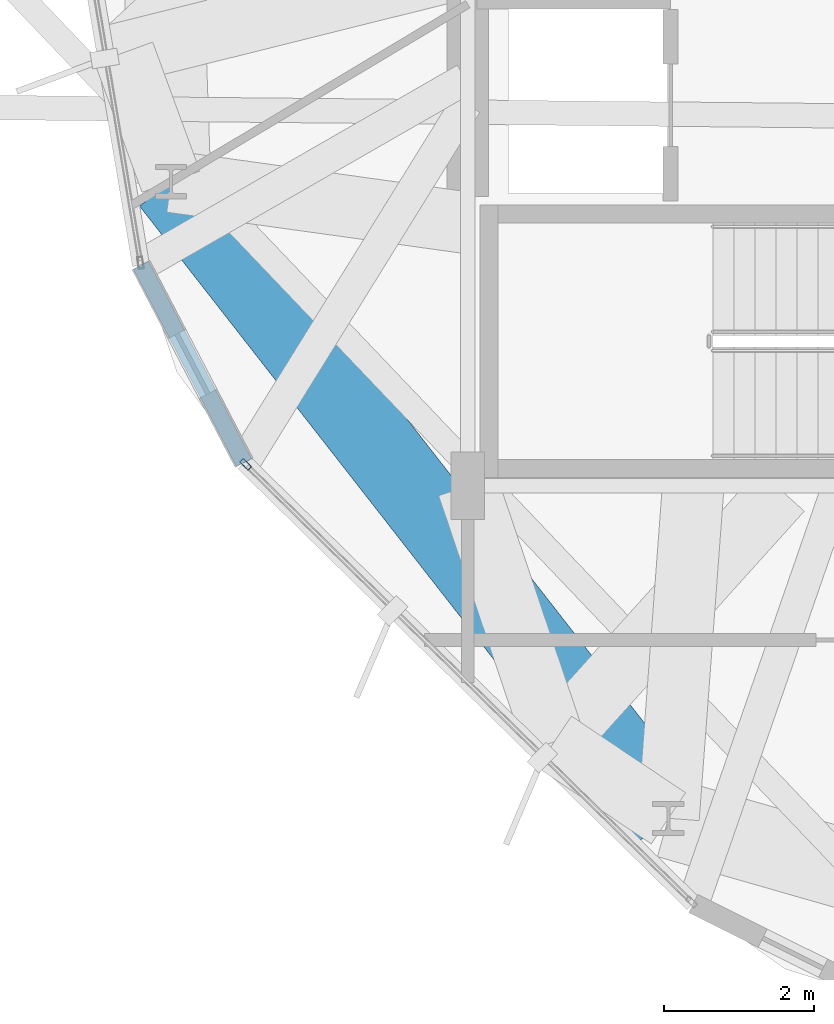
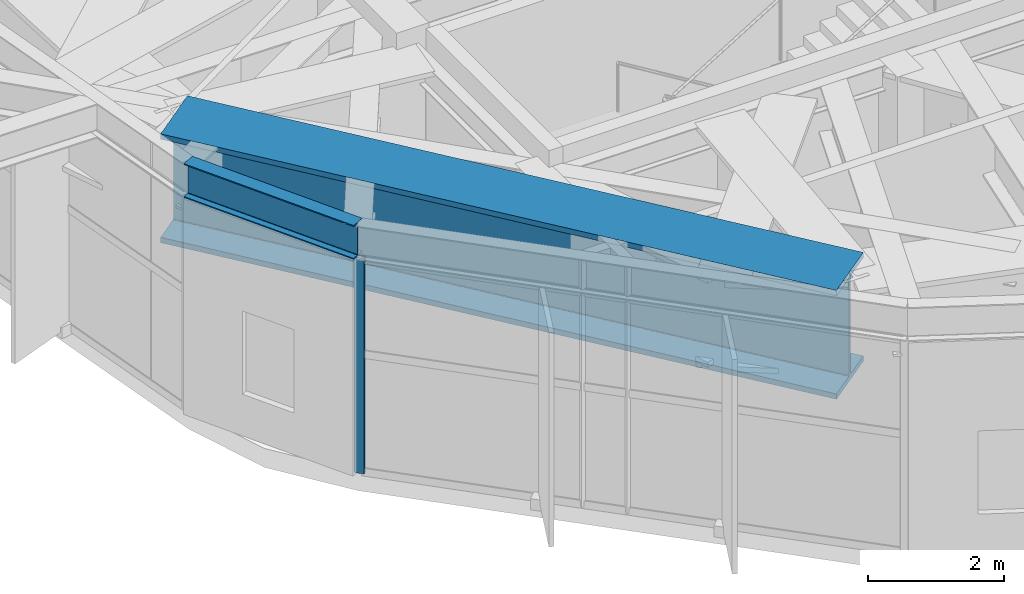
# One storey, part 3 of 27: 2 beams, 1 member, 1 element without a shape of its own.
"""IFC4 building model written with IfcOpenShell, lengths in metres."""

import ifcopenshell
import ifcopenshell.guid

model = None  # the IFC model being written
_history = None  # IfcOwnerHistory: only IFC2X3 demands one
_inside = {}  # id of a spatial element -> (the spatial element, [elements in it])
_under = {}  # id of a project, library or spatial element -> (it, [spatial elements below it])
_declared = {}  # id of a project -> (the project, [libraries it declares])
_typed = {}  # id of a type object -> (the type object, [elements of that type])
_made_of = {}  # id of a material, layer set ... -> (it, [elements and type objects made of it])


def new_model(schema):
    """Start an empty IFC model of exactly this schema.

    Asked for "IFC4X3", IfcOpenShell would pick the latest addendum, in which some entities
    have other attributes; the version numbers below select the first issue.
    IFC2X3 requires an IfcOwnerHistory on every rooted entity: one is made here for all.
    """
    global model, _history
    if schema == "IFC4X3":
        model = ifcopenshell.file(schema_version=(4, 3, 0, 0))
    else:
        model = ifcopenshell.file(schema=schema)
    _inside.clear()
    _under.clear()
    _declared.clear()
    _typed.clear()
    _made_of.clear()
    _history = None
    if model.schema == "IFC2X3":
        org = make("IfcOrganization", Name="unknown")
        user = make(
            "IfcPersonAndOrganization",
            ThePerson=make("IfcPerson", FamilyName="unknown"),
            TheOrganization=org,
        )
        app = make(
            "IfcApplication",
            ApplicationDeveloper=org,
            Version="unknown",
            ApplicationFullName="unknown",
            ApplicationIdentifier="unknown",
        )
        _history = make(
            "IfcOwnerHistory",
            OwningUser=user,
            OwningApplication=app,
            ChangeAction="ADDED",
            CreationDate=0,
        )
    return model


def make(cls, **values):
    """One entity of the class cls with the attributes given. An attribute that is None is left unset."""
    return model.create_entity(
        cls, **{name: value for name, value in values.items() if value is not None}
    )


def rooted(cls, **values):
    """An entity with a GlobalId (a new one), such as an element, a storey or a relation."""
    return make(cls, GlobalId=ifcopenshell.guid.new(), OwnerHistory=_history, **values)


def si_unit(unit_type, name, prefix=None):
    """IfcSIUnit, for example si_unit("LENGTHUNIT", "METRE", prefix="MILLI")."""
    return make("IfcSIUnit", UnitType=unit_type, Prefix=prefix, Name=name)


def assignment(units):
    """IfcUnitAssignment: the units of a project."""
    return None if units is None else make("IfcUnitAssignment", Units=units)


def point(xyz):
    """IfcCartesianPoint."""
    return None if xyz is None else make("IfcCartesianPoint", Coordinates=xyz)


def direction(xyz):
    """IfcDirection."""
    return None if xyz is None else make("IfcDirection", DirectionRatios=xyz)


def frame(location, z_axis=None, x_axis=None):
    """IfcAxis2Placement3D, a coordinate frame: its origin and axes. An axis left out is left unset."""
    return make(
        "IfcAxis2Placement3D",
        Location=point(location),
        Axis=direction(z_axis),
        RefDirection=direction(x_axis),
    )


def frame_2d(location, x_axis=None):
    """IfcAxis2Placement2D, a coordinate frame in the plane: its origin and x axis."""
    return make(
        "IfcAxis2Placement2D", Location=point(location), RefDirection=direction(x_axis)
    )


def origin():
    """The frame at (0, 0, 0) with its axes left unset."""
    return frame((0.0, 0.0, 0.0))


def origin_2d():
    """The frame at (0, 0) in the plane with its x axis left unset."""
    return frame_2d((0.0, 0.0))


def place(relative_to, where):
    """IfcLocalPlacement: puts the frame where relative to a parent placement (None: the world)."""
    return make(
        "IfcLocalPlacement", PlacementRelTo=relative_to, RelativePlacement=where
    )


def context(
    kind, dimensions, precision=None, world=None, true_north=None, identifier=None
):
    """IfcGeometricRepresentationContext, for example the 3D "Model" context."""
    return make(
        "IfcGeometricRepresentationContext",
        ContextIdentifier=identifier,
        ContextType=kind,
        CoordinateSpaceDimension=dimensions,
        Precision=precision,
        WorldCoordinateSystem=world,
        TrueNorth=true_north,
    )


def subcontext(parent, identifier, kind, view, scale=None):
    """IfcGeometricRepresentationSubContext, for example "Body" below "Model"."""
    return make(
        "IfcGeometricRepresentationSubContext",
        ContextIdentifier=identifier,
        ContextType=kind,
        ParentContext=parent,
        TargetScale=scale,
        TargetView=view,
    )


def project(units=None, contexts=None):
    """IfcProject with its units and contexts."""
    return rooted(
        "IfcProject",
        Name="project",
        RepresentationContexts=contexts,
        UnitsInContext=assignment(units),
    )


def spatial(cls, under=None, at=None, **own):
    """A site, building, storey or space (cls), placed at a placement, below another one or the project."""
    s = rooted(cls, ObjectPlacement=at, **own)
    if under is not None:
        _under.setdefault(under.id(), (under, []))[1].append(s)
    return s


def profile(cls, at=None, kind="AREA", **sizes):
    """A parametric profile (cls). Its sizes go by their IFC names, for example OverallWidth=200.0."""
    return make(cls, ProfileType=kind, Position=at, **sizes)


def hollow_rectangle(**sizes):
    """IfcRectangleHollowProfileDef."""
    return profile("IfcRectangleHollowProfileDef", **sizes)


def i_section(**sizes):
    """IfcIShapeProfileDef."""
    return profile("IfcIShapeProfileDef", **sizes)


def extrude(swept, where, along, depth):
    """IfcExtrudedAreaSolid: the profile swept, set in the frame where, extruded along a direction by depth."""
    return make(
        "IfcExtrudedAreaSolid",
        SweptArea=swept,
        Position=where,
        ExtrudedDirection=direction(along),
        Depth=depth,
    )


def shape(context_of_items, identifier, shape_type, items):
    """IfcShapeRepresentation: the items that make up one representation, for example the "Body"."""
    return make(
        "IfcShapeRepresentation",
        ContextOfItems=context_of_items,
        RepresentationIdentifier=identifier,
        RepresentationType=shape_type,
        Items=items,
    )


def material(Name=None, Category=None):
    """IfcMaterial."""
    return make("IfcMaterial", Name=Name, Category=Category)


def layer(
    of_material, thickness, ventilated=None, Name=None, Category=None, Priority=None
):
    """IfcMaterialLayer: one layer of a wall or slab, of a material (None: an air gap)."""
    return make(
        "IfcMaterialLayer",
        Material=of_material,
        LayerThickness=thickness,
        IsVentilated=ventilated,
        Name=Name,
        Category=Category,
        Priority=Priority,
    )


def layer_set(layers, Name=None):
    """IfcMaterialLayerSet."""
    return make("IfcMaterialLayerSet", MaterialLayers=layers, LayerSetName=Name)


def material_profile(
    of_material, cross_section, Name=None, Category=None, Priority=None
):
    """IfcMaterialProfile: a cross section and its material."""
    return make(
        "IfcMaterialProfile",
        Name=Name,
        Material=of_material,
        Profile=cross_section,
        Priority=Priority,
        Category=Category,
    )


def profile_set(profiles, Name=None, composite=None):
    """IfcMaterialProfileSet."""
    return make(
        "IfcMaterialProfileSet",
        Name=Name,
        MaterialProfiles=profiles,
        CompositeProfile=composite,
    )


def made_of(thing, what):
    """Note that an element or type object is made of a material, layer set ...; save() writes the relation."""
    if what is not None:
        _made_of.setdefault(what.id(), (what, []))[1].append(thing)
    return thing


def type_object(cls, material=None, **own):
    """A type object (cls), such as IfcWallType, which elements share."""
    return made_of(rooted(cls, **own), material)


def element(
    cls,
    number,
    at=None,
    inside=None,
    cuts=None,
    type_object=None,
    material=None,
    context=None,
    identifier="Body",
    shape_type=None,
    held_by="IfcProductDefinitionShape",
    body=None,
    shapes=None,
    **own,
):
    """One element of the class cls, such as IfcWall. Its Tag is "e" and its number.

    at: its placement. inside: the storey or other place that contains it. cuts: it is an
    opening in that element (IfcRelVoidsElement). A single representation is given by context,
    identifier, shape_type and body (its items); several are given by shapes. held_by: the class
    of the entity that holds the representations. save() writes the other relations.
    """
    e = rooted(cls, Tag="e%d" % number, ObjectPlacement=at, **own)
    if body is not None:
        shapes = [shape(context, identifier, shape_type, body)]
    if shapes is not None:
        e.Representation = make(held_by, Representations=shapes)
    if inside is not None:
        _inside.setdefault(inside.id(), (inside, []))[1].append(e)
    if cuts is not None:
        rooted(
            "IfcRelVoidsElement", RelatingBuildingElement=cuts, RelatedOpeningElement=e
        )
    if type_object is not None:
        _typed.setdefault(type_object.id(), (type_object, []))[1].append(e)
    return made_of(e, material)


def aggregate(whole, parts):
    """IfcRelAggregates: a whole, such as a stair, and the parts it consists of."""
    return rooted("IfcRelAggregates", RelatingObject=whole, RelatedObjects=parts)


def save(model, path):
    """Write the relations noted so far, then the file.

    IfcRelAggregates (storeys below a building ...), IfcRelContainedInSpatialStructure (elements
    in a storey), IfcRelDefinesByType, IfcRelAssociatesMaterial and IfcRelDeclares: one each for
    every whole, place, type object, material and project.
    """
    for whole, parts in _under.values():
        aggregate(whole, parts)
    for where, things in _inside.values():
        rooted(
            "IfcRelContainedInSpatialStructure",
            RelatedElements=things,
            RelatingStructure=where,
        )
    for kind, things in _typed.values():
        rooted("IfcRelDefinesByType", RelatedObjects=things, RelatingType=kind)
    for what, things in _made_of.values():
        rooted("IfcRelAssociatesMaterial", RelatedObjects=things, RelatingMaterial=what)
    for by, libraries in _declared.values():
        rooted("IfcRelDeclares", RelatingContext=by, RelatedDefinitions=libraries)
    model.write(path)


model = new_model("IFC4")

# Units and contexts
model_context = context("Model", 3, precision=1e-05, world=origin(), true_north=direction((0.0, 1.0)))
body_context = subcontext(model_context, "Body", "Model", "MODEL_VIEW")
ifc_project = project(units=[si_unit("LENGTHUNIT", "METRE"), si_unit("AREAUNIT", "SQUARE_METRE"), si_unit("VOLUMEUNIT", "CUBIC_METRE"), si_unit("PLANEANGLEUNIT", "RADIAN"), si_unit("MASSUNIT", "GRAM", prefix="KILO")], contexts=[model_context])

# Site, building, storey
site_placement = place(None, origin())
site = spatial("IfcSite", under=ifc_project, at=site_placement, CompositionType="ELEMENT")
building_placement = place(site_placement, origin())
building = spatial("IfcBuilding", under=site, at=building_placement, Name="Soratama Intermodal Tower", CompositionType="ELEMENT")
storey_placement = place(building_placement, frame((0.0, 0.0, 134.199951171875)))
storey = spatial("IfcBuildingStorey", under=building, at=storey_placement, Name="L32", CompositionType="ELEMENT", Elevation=134.199951171875)

# Beams
ifc_material_1 = material(Name="Structural steel ASTM A992 Grade 50", Category="steel")
ifc_material_profile_1 = material_profile(ifc_material_1, i_section(OverallWidth=0.22900390625, OverallDepth=0.612060546875, WebThickness=0.011962890625, FlangeThickness=0.01953125, FilletRadius=0.012939453125, at=origin_2d()), Name="W24X84")
ifc_profile_set_1 = profile_set([ifc_material_profile_1], Name="Structural steel ASTM A992 Grade 50")
beam_type_1 = type_object("IfcBeamType", Name="BM-SPN-W24X84", PredefinedType="SPANDREL", material=ifc_profile_set_1)
beam_1_placement = place(storey_placement, frame((28.2490234375, 17.93798828125, 4.194091796875), z_axis=(0.462554755438, -0.886590716296, 0.0), x_axis=(0.886590716296, 0.462554755438, 0.0)))
element("IfcBeam", 1, at=beam_1_placement, inside=storey, type_object=beam_type_1, Name="BS-L32-CRN05", PredefinedType="SPANDREL", context=body_context, shape_type="SweptSolid", body=[
    extrude(i_section(OverallWidth=0.22900390625, OverallDepth=0.612060546875, WebThickness=0.011962890625, FlangeThickness=0.01953125, FilletRadius=0.012939453125, at=origin_2d()), origin(), (0.0, 0.0, 1.0), 2.96630859375),
])
ifc_material_2 = material(Name="Structural steel ASTM A992 Grade 50", Category="steel")
ifc_material_profile_2 = material_profile(ifc_material_2, i_section(OverallWidth=1.06005859375, OverallDepth=1.9599609375, WebThickness=0.05810546875, FlangeThickness=0.095947265625, FilletRadius=0.02392578125, at=origin_2d()), Name="PG2400X900")
ifc_profile_set_2 = profile_set([ifc_material_profile_2], Name="Structural steel ASTM A992 Grade 50")
beam_type_2 = type_object("IfcBeamType", Name="BM-ZSTEP-PG2400", PredefinedType="BEAM", material=ifc_profile_set_2)
beam_2_placement = place(storey_placement, frame((28.64892578125, 19.049072265625, 3.52001953125), z_axis=(0.615683690883, -0.787993396407, 0.0), x_axis=(0.787993396407, 0.615683690883, 0.0)))
element("IfcBeam", 2, at=beam_2_placement, inside=storey, type_object=beam_type_2, Name="BM-L32-RING-06", PredefinedType="BEAM", context=body_context, shape_type="SweptSolid", body=[
    extrude(i_section(OverallWidth=1.06005859375, OverallDepth=1.9599609375, WebThickness=0.05810546875, FlangeThickness=0.095947265625, FilletRadius=0.02392578125, at=origin_2d()), origin(), (0.0, 0.0, 1.0), 10.754150390625),
])

# Curtain wall, member
ifc_material_3 = material(Name="Double-glazed aluminium curtain wall", Category="aluminium")
ifc_layer = layer(ifc_material_3, 0.159912109375)
ifc_layer_set = layer_set([ifc_layer], Name="Double-glazed aluminium curtain wall")
curtain_wall_type = type_object("IfcCurtainWallType", Name="CW-SYS-3", PredefinedType="NOTDEFINED", material=ifc_layer_set)
curtain_wall_placement = place(storey_placement, origin())
curtain_wall = element("IfcCurtainWall", 3, at=curtain_wall_placement, inside=storey, type_object=curtain_wall_type, Name="L32 Faceted Curtain Wall F06", PredefinedType="NOTDEFINED")
ifc_material_4 = material(Name="Anodised aluminium AA 6063-T6", Category="aluminium")
ifc_material_profile_3 = material_profile(ifc_material_4, hollow_rectangle(XDim=0.070068359375, YDim=0.159912109375, WallThickness=0.0048828125, InnerFilletRadius=0.0048828125, OuterFilletRadius=0.010009765625, at=origin_2d()), Name="CWM160X70X5")
ifc_profile_set_3 = profile_set([ifc_material_profile_3], Name="Anodised aluminium AA 6063-T6")
member_type = type_object("IfcMemberType", Name="MT-CWM-3", PredefinedType="MULLION", material=ifc_profile_set_3)
member_placement = place(storey_placement, frame((29.642333984375, 15.28662109375, 0.0), z_axis=(0.0, 0.0, 1.0), x_axis=(0.700413662344, 0.713737137609, 0.0)))
member = element("IfcMember", 4, at=member_placement, type_object=member_type, Name="CW-3 mullion 1", PredefinedType="MULLION", context=body_context, shape_type="SweptSolid", body=[
    extrude(hollow_rectangle(XDim=0.070068359375, YDim=0.159912109375, WallThickness=0.0048828125, InnerFilletRadius=0.0048828125, OuterFilletRadius=0.010009765625, at=origin_2d()), origin(), (0.0, 0.0, 1.0), 3.879150390625),
])
aggregate(curtain_wall, [member])

save(model, "model.ifc")
